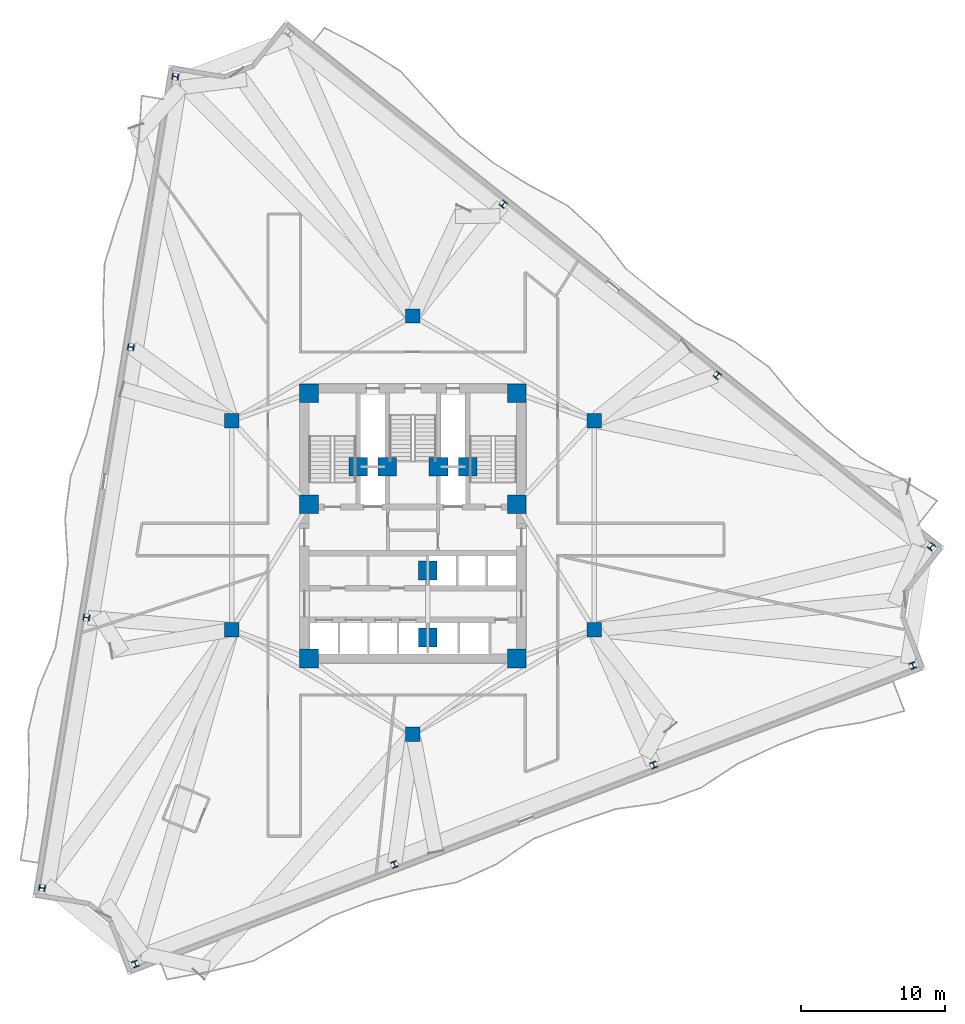
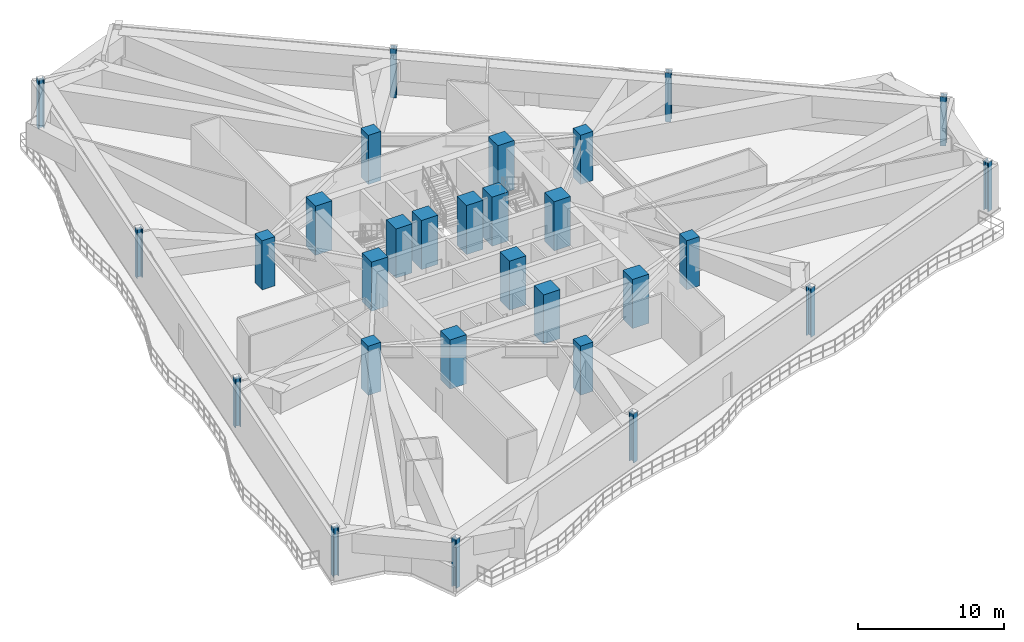
# One storey, part 1 of 14: 29 columns.
"""IFC4 building model written with IfcOpenShell, lengths in metres."""

from ifc_helpers import new_model, si_unit, direction, frame, origin, origin_2d, place, context, subcontext, project, spatial, rectangle, i_section, extrude, material, material_profile, profile_set, type_object, element, save


model = new_model("IFC4")

# Units and contexts
model_context = context("Model", 3, precision=1e-05, world=origin(), true_north=direction((0.0, 1.0)))
body_context = subcontext(model_context, "Body", "Model", "MODEL_VIEW")
ifc_project = project(units=[si_unit("LENGTHUNIT", "METRE"), si_unit("AREAUNIT", "SQUARE_METRE"), si_unit("VOLUMEUNIT", "CUBIC_METRE"), si_unit("PLANEANGLEUNIT", "RADIAN"), si_unit("MASSUNIT", "GRAM", prefix="KILO")], contexts=[model_context])

# Site, building, storey
site_placement = place(None, origin())
site = spatial("IfcSite", under=ifc_project, at=site_placement, CompositionType="ELEMENT")
building_placement = place(site_placement, origin())
building = spatial("IfcBuilding", under=site, at=building_placement, Name="Apsidion Concourse Tower", CompositionType="ELEMENT")
storey_placement = place(building_placement, frame((0.0, 0.0, 156.800048828125)))
storey = spatial("IfcBuildingStorey", under=building, at=storey_placement, Name="L36", CompositionType="ELEMENT", Elevation=156.800048828125)

# Columns
ifc_material_1 = material(Name="Concrete C50/60", Category="concrete")
ifc_material_profile_1 = material_profile(ifc_material_1, rectangle(XDim=1.0, YDim=1.0, at=origin_2d()), Name="RC 1000x1000")
ifc_profile_set_1 = profile_set([ifc_material_profile_1], Name="Concrete C50/60")
column_type_1 = type_object("IfcColumnType", Name="COL-RC-1000", PredefinedType="COLUMN", material=ifc_profile_set_1)
for number, where, z_axis, x_axis, name in (
    (1, (-12.56005859375, -7.25, 0.0), (0.0, 0.0, 1.0), (1.0, 0.0, 0.0), "L36 Interior Spine Column IC1"),
    (2, (12.56005859375, -7.25, 0.0), (0.0, 0.0, 1.0), (1.0, 0.0, 0.0), "L36 Interior Spine Column IC2"),
    (3, (12.56005859375, 7.25, 0.0), (0.0, 0.0, 1.0), (1.0, 0.0, 0.0), "L36 Interior Spine Column IC3"),
    (4, (0.0, 14.5, 0.0), (0.0, 0.0, 1.0), (1.0, 0.0, 0.0), "L36 Interior Spine Column IC4"),
    (5, (-12.56005859375, 7.25, 0.0), (0.0, 0.0, 1.0), (1.0, 0.0, 0.0), "L36 Interior Spine Column IC5"),
    (6, (0.0, -14.5, 0.0), (0.0, 0.0, 1.0), (1.0, 0.0, 0.0), "L36 Interior Spine Column IC6"),
):
    element("IfcColumn", number, at=place(storey_placement, frame(where, z_axis=z_axis, x_axis=x_axis)), inside=storey, type_object=column_type_1, Name=name, PredefinedType="COLUMN", context=body_context, shape_type="SweptSolid", body=[
        extrude(rectangle(XDim=1.0, YDim=1.0, at=origin_2d()), origin(), (0.0, 0.0, 1.0), 4.099853515625),
    ])
ifc_material_profile_2 = material_profile(ifc_material_1, rectangle(XDim=1.300048828125, YDim=1.300048828125, at=origin_2d()), Name="RC 1300x1300")
ifc_profile_set_2 = profile_set([ifc_material_profile_2], Name="Concrete C50/60")
column_type_2 = type_object("IfcColumnType", Name="COL-RC-1300", PredefinedType="COLUMN", material=ifc_profile_set_2)
for number, where, z_axis, x_axis, name in (
    (7, (-7.199951171875, -9.25, 0.0), (0.0, 0.0, 1.0), (1.0, 0.0, 0.0), "L36 Core Super-Column SC1"),
    (8, (7.199951171875, -9.25, 0.0), (0.0, 0.0, 1.0), (1.0, 0.0, 0.0), "L36 Core Super-Column SC2"),
    (9, (7.199951171875, 1.449951171875, 0.0), (0.0, 0.0, 1.0), (1.0, 0.0, 0.0), "L36 Core Super-Column SC3"),
    (10, (7.199951171875, 9.14990234375, 0.0), (0.0, 0.0, 1.0), (1.0, 0.0, 0.0), "L36 Core Super-Column SC4"),
    (11, (-7.199951171875, 9.14990234375, 0.0), (0.0, 0.0, 1.0), (1.0, 0.0, 0.0), "L36 Core Super-Column SC5"),
    (12, (-7.199951171875, 1.449951171875, 0.0), (0.0, 0.0, 1.0), (1.0, 0.0, 0.0), "L36 Core Super-Column SC6"),
    (13, (-3.800048828125, 4.050048828125, 0.0), (0.0, 0.0, 1.0), (1.0, 0.0, 0.0), "L36 Core Super-Column CC1"),
    (14, (3.800048828125, 4.050048828125, 0.0), (0.0, 0.0, 1.0), (1.0, 0.0, 0.0), "L36 Core Super-Column CC2"),
    (15, (-1.77490234375, 4.050048828125, 0.0), (0.0, 0.0, 1.0), (1.0, 0.0, 0.0), "L36 Core Super-Column CC3"),
    (16, (1.77490234375, 4.050048828125, 0.0), (0.0, 0.0, 1.0), (1.0, 0.0, 0.0), "L36 Core Super-Column CC4"),
    (17, (1.02490234375, -3.14990234375, 0.0), (0.0, 0.0, 1.0), (1.0, 0.0, 0.0), "L36 Core Super-Column CC5"),
    (18, (1.02490234375, -7.800048828125, 0.0), (0.0, 0.0, 1.0), (1.0, 0.0, 0.0), "L36 Core Super-Column CC6"),
):
    element("IfcColumn", number, at=place(storey_placement, frame(where, z_axis=z_axis, x_axis=x_axis)), inside=storey, type_object=column_type_2, Name=name, PredefinedType="COLUMN", context=body_context, shape_type="SweptSolid", body=[
        extrude(rectangle(XDim=1.300048828125, YDim=1.300048828125, at=origin_2d()), origin(), (0.0, 0.0, 1.0), 4.099853515625),
    ])
ifc_material_2 = material(Name="Structural steel ASTM A992 Grade 50", Category="steel")
ifc_material_profile_3 = material_profile(ifc_material_2, i_section(OverallWidth=0.410888671875, OverallDepth=0.43408203125, WebThickness=0.035888671875, FlangeThickness=0.057373046875, at=origin_2d()), Name="W14X311")
ifc_profile_set_3 = profile_set([ifc_material_profile_3], Name="Structural steel ASTM A992 Grade 50")
column_type_3 = type_object("IfcColumnType", Name="COL-W14-311", PredefinedType="COLUMN", material=ifc_profile_set_3)
for number, where, z_axis, x_axis, name in (
    (19, (-16.477294921875, 31.100341796875, 0.0), (0.0, 0.0, 1.0), (0.162120515372, 0.986770965572, 0.0), "L36 Rotated Perimeter Column PC01"),
    (20, (-19.55859375, 12.34619140625, 0.0), (0.0, 0.0, 1.0), (0.162120515372, 0.986770965572, 0.0), "L36 Rotated Perimeter Column PC02"),
    (21, (-22.6396484375, -6.407958984375, 0.0), (0.0, 0.0, 1.0), (0.162120515372, 0.986770965572, 0.0), "L36 Rotated Perimeter Column PC03"),
    (22, (-25.720703125, -25.162109375, 0.0), (0.0, 0.0, 1.0), (0.162120515372, 0.986770965572, 0.0), "L36 Rotated Perimeter Column PC04"),
    (23, (-19.247314453125, -30.435302734375, 0.0), (0.0, 0.0, 1.0), (0.933580426497, 0.358367949545, 0.0), "L36 Rotated Perimeter Column PC05"),
    (24, (-1.275146484375, -23.53662109375, 0.0), (0.0, 0.0, 1.0), (0.933580426497, 0.358367949545, 0.0), "L36 Rotated Perimeter Column PC06"),
    (25, (16.69677734375, -16.6376953125, 0.0), (0.0, 0.0, 1.0), (0.933580426497, 0.358367949545, 0.0), "L36 Rotated Perimeter Column PC07"),
    (26, (34.668701171875, -9.739013671875, 0.0), (0.0, 0.0, 1.0), (0.933580426497, 0.358367949545, 0.0), "L36 Rotated Perimeter Column PC08"),
    (27, (35.951171875, -1.488525390625, 0.0), (0.0, 0.0, 1.0), (-0.780757676633, 0.624833938242, 0.0), "L36 Rotated Perimeter Column PC09"),
    (28, (21.1123046875, 10.38671875, 0.0), (0.0, 0.0, 1.0), (-0.780757676633, 0.624833938242, 0.0), "L36 Rotated Perimeter Column PC10"),
    (29, (6.2734375, 22.26220703125, 0.0), (0.0, 0.0, 1.0), (-0.780757676633, 0.624833938242, 0.0), "L36 Rotated Perimeter Column PC11"),
):
    element("IfcColumn", number, at=place(storey_placement, frame(where, z_axis=z_axis, x_axis=x_axis)), inside=storey, type_object=column_type_3, Name=name, PredefinedType="COLUMN", context=body_context, shape_type="SweptSolid", body=[
        extrude(i_section(OverallWidth=0.410888671875, OverallDepth=0.43408203125, WebThickness=0.035888671875, FlangeThickness=0.057373046875, at=origin_2d()), origin(), (0.0, 0.0, 1.0), 4.099853515625),
    ])

save(model, "model.ifc")
